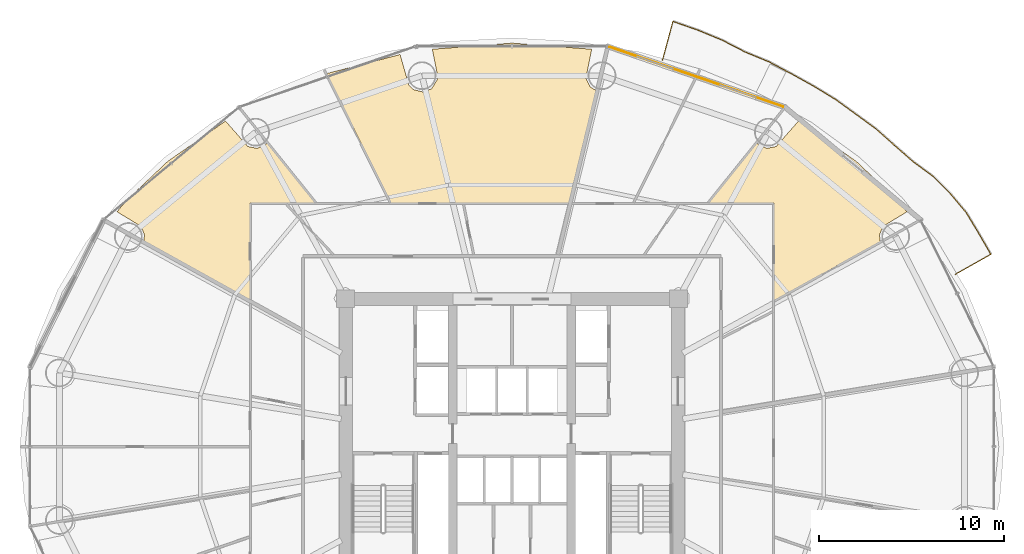
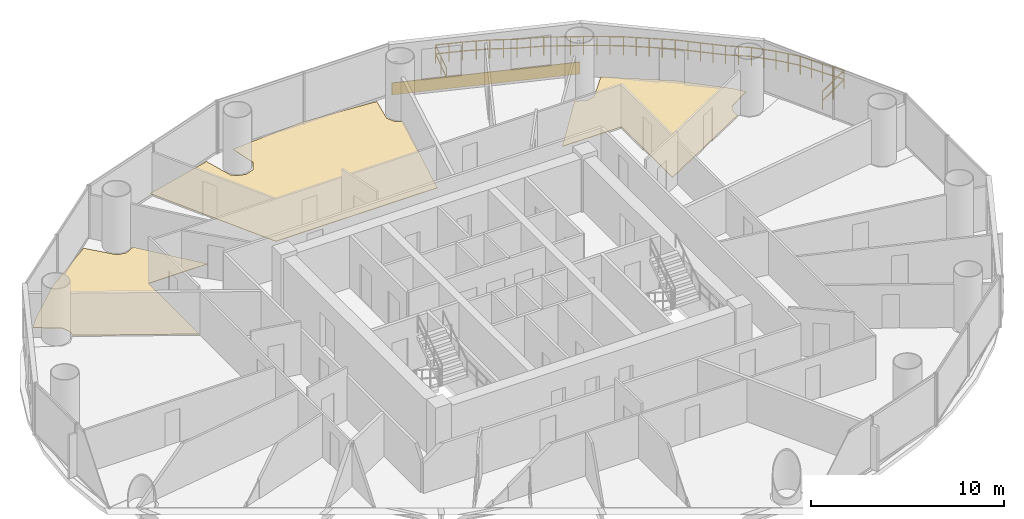
# One storey, part 28 of 28: 4 coverings, 1 railing.
"""IFC4 building model written with IfcOpenShell, lengths in metres."""

import ifcopenshell
import ifcopenshell.guid

model = None  # the IFC model being written
_history = None  # IfcOwnerHistory: only IFC2X3 demands one
_inside = {}  # id of a spatial element -> (the spatial element, [elements in it])
_under = {}  # id of a project, library or spatial element -> (it, [spatial elements below it])
_declared = {}  # id of a project -> (the project, [libraries it declares])
_typed = {}  # id of a type object -> (the type object, [elements of that type])
_made_of = {}  # id of a material, layer set ... -> (it, [elements and type objects made of it])


def new_model(schema):
    """Start an empty IFC model of exactly this schema.

    Asked for "IFC4X3", IfcOpenShell would pick the latest addendum, in which some entities
    have other attributes; the version numbers below select the first issue.
    IFC2X3 requires an IfcOwnerHistory on every rooted entity: one is made here for all.
    """
    global model, _history
    if schema == "IFC4X3":
        model = ifcopenshell.file(schema_version=(4, 3, 0, 0))
    else:
        model = ifcopenshell.file(schema=schema)
    _inside.clear()
    _under.clear()
    _declared.clear()
    _typed.clear()
    _made_of.clear()
    _history = None
    if model.schema == "IFC2X3":
        org = make("IfcOrganization", Name="unknown")
        user = make(
            "IfcPersonAndOrganization",
            ThePerson=make("IfcPerson", FamilyName="unknown"),
            TheOrganization=org,
        )
        app = make(
            "IfcApplication",
            ApplicationDeveloper=org,
            Version="unknown",
            ApplicationFullName="unknown",
            ApplicationIdentifier="unknown",
        )
        _history = make(
            "IfcOwnerHistory",
            OwningUser=user,
            OwningApplication=app,
            ChangeAction="ADDED",
            CreationDate=0,
        )
    return model


def make(cls, **values):
    """One entity of the class cls with the attributes given. An attribute that is None is left unset."""
    return model.create_entity(
        cls, **{name: value for name, value in values.items() if value is not None}
    )


def rooted(cls, **values):
    """An entity with a GlobalId (a new one), such as an element, a storey or a relation."""
    return make(cls, GlobalId=ifcopenshell.guid.new(), OwnerHistory=_history, **values)


def si_unit(unit_type, name, prefix=None):
    """IfcSIUnit, for example si_unit("LENGTHUNIT", "METRE", prefix="MILLI")."""
    return make("IfcSIUnit", UnitType=unit_type, Prefix=prefix, Name=name)


def assignment(units):
    """IfcUnitAssignment: the units of a project."""
    return None if units is None else make("IfcUnitAssignment", Units=units)


def point(xyz):
    """IfcCartesianPoint."""
    return None if xyz is None else make("IfcCartesianPoint", Coordinates=xyz)


def direction(xyz):
    """IfcDirection."""
    return None if xyz is None else make("IfcDirection", DirectionRatios=xyz)


def frame(location, z_axis=None, x_axis=None):
    """IfcAxis2Placement3D, a coordinate frame: its origin and axes. An axis left out is left unset."""
    return make(
        "IfcAxis2Placement3D",
        Location=point(location),
        Axis=direction(z_axis),
        RefDirection=direction(x_axis),
    )


def frame_2d(location, x_axis=None):
    """IfcAxis2Placement2D, a coordinate frame in the plane: its origin and x axis."""
    return make(
        "IfcAxis2Placement2D", Location=point(location), RefDirection=direction(x_axis)
    )


def origin():
    """The frame at (0, 0, 0) with its axes left unset."""
    return frame((0.0, 0.0, 0.0))


def origin_2d():
    """The frame at (0, 0) in the plane with its x axis left unset."""
    return frame_2d((0.0, 0.0))


def place(relative_to, where):
    """IfcLocalPlacement: puts the frame where relative to a parent placement (None: the world)."""
    return make(
        "IfcLocalPlacement", PlacementRelTo=relative_to, RelativePlacement=where
    )


def context(
    kind, dimensions, precision=None, world=None, true_north=None, identifier=None
):
    """IfcGeometricRepresentationContext, for example the 3D "Model" context."""
    return make(
        "IfcGeometricRepresentationContext",
        ContextIdentifier=identifier,
        ContextType=kind,
        CoordinateSpaceDimension=dimensions,
        Precision=precision,
        WorldCoordinateSystem=world,
        TrueNorth=true_north,
    )


def subcontext(parent, identifier, kind, view, scale=None):
    """IfcGeometricRepresentationSubContext, for example "Body" below "Model"."""
    return make(
        "IfcGeometricRepresentationSubContext",
        ContextIdentifier=identifier,
        ContextType=kind,
        ParentContext=parent,
        TargetScale=scale,
        TargetView=view,
    )


def project(units=None, contexts=None):
    """IfcProject with its units and contexts."""
    return rooted(
        "IfcProject",
        Name="project",
        RepresentationContexts=contexts,
        UnitsInContext=assignment(units),
    )


def spatial(cls, under=None, at=None, **own):
    """A site, building, storey or space (cls), placed at a placement, below another one or the project."""
    s = rooted(cls, ObjectPlacement=at, **own)
    if under is not None:
        _under.setdefault(under.id(), (under, []))[1].append(s)
    return s


def polyline(points):
    """IfcPolyline through the points."""
    return make("IfcPolyline", Points=[point(p) for p in points])


def profile(cls, at=None, kind="AREA", **sizes):
    """A parametric profile (cls). Its sizes go by their IFC names, for example OverallWidth=200.0."""
    return make(cls, ProfileType=kind, Position=at, **sizes)


def rectangle(**sizes):
    """IfcRectangleProfileDef."""
    return profile("IfcRectangleProfileDef", **sizes)


def outline(outer, holes=None, kind="AREA"):
    """IfcArbitraryClosedProfileDef: a profile drawn as a closed curve; with holes, ...WithVoids."""
    if holes is None:
        return make("IfcArbitraryClosedProfileDef", ProfileType=kind, OuterCurve=outer)
    return make(
        "IfcArbitraryProfileDefWithVoids",
        ProfileType=kind,
        OuterCurve=outer,
        InnerCurves=holes,
    )


def extrude(swept, where, along, depth):
    """IfcExtrudedAreaSolid: the profile swept, set in the frame where, extruded along a direction by depth."""
    return make(
        "IfcExtrudedAreaSolid",
        SweptArea=swept,
        Position=where,
        ExtrudedDirection=direction(along),
        Depth=depth,
    )


def shape(context_of_items, identifier, shape_type, items):
    """IfcShapeRepresentation: the items that make up one representation, for example the "Body"."""
    return make(
        "IfcShapeRepresentation",
        ContextOfItems=context_of_items,
        RepresentationIdentifier=identifier,
        RepresentationType=shape_type,
        Items=items,
    )


def source(mapping_origin, context_of_items, identifier, shape_type, items):
    """IfcRepresentationMap: a shape defined once, which mapped items show again and again."""
    return make(
        "IfcRepresentationMap",
        MappingOrigin=mapping_origin,
        MappedRepresentation=shape(context_of_items, identifier, shape_type, items),
    )


def transform(
    local_origin,
    x_axis=None,
    y_axis=None,
    z_axis=None,
    scale=None,
    scale2=None,
    scale3=None,
    uniform=True,
):
    """IfcCartesianTransformationOperator3D, or its non-uniform kind. x_axis, y_axis, z_axis: its Axis1, 2, 3."""
    if uniform:
        return make(
            "IfcCartesianTransformationOperator3D",
            Axis1=direction(x_axis),
            Axis2=direction(y_axis),
            LocalOrigin=point(local_origin),
            Scale=scale,
            Axis3=direction(z_axis),
        )
    return make(
        "IfcCartesianTransformationOperator3DnonUniform",
        Axis1=direction(x_axis),
        Axis2=direction(y_axis),
        LocalOrigin=point(local_origin),
        Scale=scale,
        Axis3=direction(z_axis),
        Scale2=scale2,
        Scale3=scale3,
    )


def mapped(mapping_source, mapping_target):
    """IfcMappedItem: shows the shape of a source again, moved by a transform."""
    return make(
        "IfcMappedItem", MappingSource=mapping_source, MappingTarget=mapping_target
    )


def material(Name=None, Category=None):
    """IfcMaterial."""
    return make("IfcMaterial", Name=Name, Category=Category)


def layer(
    of_material, thickness, ventilated=None, Name=None, Category=None, Priority=None
):
    """IfcMaterialLayer: one layer of a wall or slab, of a material (None: an air gap)."""
    return make(
        "IfcMaterialLayer",
        Material=of_material,
        LayerThickness=thickness,
        IsVentilated=ventilated,
        Name=Name,
        Category=Category,
        Priority=Priority,
    )


def layer_set(layers, Name=None):
    """IfcMaterialLayerSet."""
    return make("IfcMaterialLayerSet", MaterialLayers=layers, LayerSetName=Name)


def made_of(thing, what):
    """Note that an element or type object is made of a material, layer set ...; save() writes the relation."""
    if what is not None:
        _made_of.setdefault(what.id(), (what, []))[1].append(thing)
    return thing


def type_object(cls, material=None, **own):
    """A type object (cls), such as IfcWallType, which elements share."""
    return made_of(rooted(cls, **own), material)


def element(
    cls,
    number,
    at=None,
    inside=None,
    cuts=None,
    type_object=None,
    material=None,
    context=None,
    identifier="Body",
    shape_type=None,
    held_by="IfcProductDefinitionShape",
    body=None,
    shapes=None,
    **own,
):
    """One element of the class cls, such as IfcWall. Its Tag is "e" and its number.

    at: its placement. inside: the storey or other place that contains it. cuts: it is an
    opening in that element (IfcRelVoidsElement). A single representation is given by context,
    identifier, shape_type and body (its items); several are given by shapes. held_by: the class
    of the entity that holds the representations. save() writes the other relations.
    """
    e = rooted(cls, Tag="e%d" % number, ObjectPlacement=at, **own)
    if body is not None:
        shapes = [shape(context, identifier, shape_type, body)]
    if shapes is not None:
        e.Representation = make(held_by, Representations=shapes)
    if inside is not None:
        _inside.setdefault(inside.id(), (inside, []))[1].append(e)
    if cuts is not None:
        rooted(
            "IfcRelVoidsElement", RelatingBuildingElement=cuts, RelatedOpeningElement=e
        )
    if type_object is not None:
        _typed.setdefault(type_object.id(), (type_object, []))[1].append(e)
    return made_of(e, material)


def aggregate(whole, parts):
    """IfcRelAggregates: a whole, such as a stair, and the parts it consists of."""
    return rooted("IfcRelAggregates", RelatingObject=whole, RelatedObjects=parts)


def save(model, path):
    """Write the relations noted so far, then the file.

    IfcRelAggregates (storeys below a building ...), IfcRelContainedInSpatialStructure (elements
    in a storey), IfcRelDefinesByType, IfcRelAssociatesMaterial and IfcRelDeclares: one each for
    every whole, place, type object, material and project.
    """
    for whole, parts in _under.values():
        aggregate(whole, parts)
    for where, things in _inside.values():
        rooted(
            "IfcRelContainedInSpatialStructure",
            RelatedElements=things,
            RelatingStructure=where,
        )
    for kind, things in _typed.values():
        rooted("IfcRelDefinesByType", RelatedObjects=things, RelatingType=kind)
    for what, things in _made_of.values():
        rooted("IfcRelAssociatesMaterial", RelatedObjects=things, RelatingMaterial=what)
    for by, libraries in _declared.values():
        rooted("IfcRelDeclares", RelatingContext=by, RelatedDefinitions=libraries)
    model.write(path)


model = new_model("IFC4")

# Units and contexts
model_context = context("Model", 3, precision=1e-05, world=origin(), true_north=direction((-0.2419218956, 0.970295726276)))
body_context = subcontext(model_context, "Body", "Model", "MODEL_VIEW")
ifc_project = project(units=[si_unit("LENGTHUNIT", "METRE"), si_unit("AREAUNIT", "SQUARE_METRE"), si_unit("VOLUMEUNIT", "CUBIC_METRE"), si_unit("PLANEANGLEUNIT", "RADIAN"), si_unit("MASSUNIT", "GRAM", prefix="KILO")], contexts=[model_context])

# Site, building, storey
site_placement = place(None, origin())
site = spatial("IfcSite", under=ifc_project, at=site_placement, CompositionType="ELEMENT")
building_placement = place(site_placement, origin())
building = spatial("IfcBuilding", under=site, at=building_placement, Name="Cobrevalo Terracotta Tower", CompositionType="ELEMENT")
storey_placement = place(building_placement, frame((0.0, 0.0, 101.39990234375)))
storey = spatial("IfcBuildingStorey", under=building, at=storey_placement, Name="L26", CompositionType="ELEMENT", Elevation=101.39990234375)

# Railing
ifc_material_1 = material(Name="Laminated structural glass and stainless steel", Category="steel")
railing_type = type_object("IfcRailingType", Name="Balcony lobe structural glass & terracotta-cap balustrade 1180 mm", PredefinedType="BALUSTRADE", material=ifc_material_1)
railing_placement = place(storey_placement, frame((61.962646484375, 36.115234375, 0.0)))
element("IfcRailing", 1, at=railing_placement, inside=storey, type_object=railing_type, Name="L26 spiralling balcony lobe balustrade 1", PredefinedType="BALUSTRADE", context=body_context, shape_type="SweptSolid", body=[
    extrude(rectangle(XDim=0.048095703125, YDim=0.048095703125, at=origin_2d()), frame((0.0, 0.0, 1.15576171875), z_axis=(0.871457612486, 0.490470824454, 0.0), x_axis=(-0.490470824454, 0.871457612486, 0.0)), (0.0, 0.0, 1.0), 2.212158203125),
    extrude(rectangle(XDim=0.048095703125, YDim=0.048095703125, at=origin_2d()), frame((0.0, 0.0, 0.58984375), z_axis=(0.871457612486, 0.490470824454, 0.0), x_axis=(-0.490470824454, 0.871457612486, 0.0)), (0.0, 0.0, 1.0), 2.212158203125),
    extrude(rectangle(XDim=0.048095703125, YDim=0.048095703125, at=origin_2d()), frame((1.927734375, 1.0849609375, 1.15576171875), z_axis=(-0.501036270542, 0.865426285481, 0.0), x_axis=(-0.865426285481, -0.501036270542, 0.0)), (0.0, 0.0, 1.0), 1.302490234375),
    extrude(rectangle(XDim=0.048095703125, YDim=0.048095703125, at=origin_2d()), frame((1.927734375, 1.0849609375, 0.58984375), z_axis=(-0.501036270542, 0.865426285481, 0.0), x_axis=(-0.865426285481, -0.501036270542, 0.0)), (0.0, 0.0, 1.0), 1.302490234375),
    extrude(rectangle(XDim=0.048095703125, YDim=0.048095703125, at=origin_2d()), frame((1.275146484375, 2.212158203125, 1.15576171875), z_axis=(-0.515180598973, 0.857081647477, 0.0), x_axis=(-0.857081647477, -0.515180598973, 0.0)), (0.0, 0.0, 1.0), 1.310302734375),
    extrude(rectangle(XDim=0.048095703125, YDim=0.048095703125, at=origin_2d()), frame((1.275146484375, 2.212158203125, 0.58984375), z_axis=(-0.515180598973, 0.857081647477, 0.0), x_axis=(-0.857081647477, -0.515180598973, 0.0)), (0.0, 0.0, 1.0), 1.310302734375),
    extrude(rectangle(XDim=0.048095703125, YDim=0.048095703125, at=origin_2d()), frame((0.60009765625, 3.335205078125, 1.15576171875), z_axis=(-0.643377335793, 0.76554921709, 0.0), x_axis=(-0.76554921709, -0.643377335793, 0.0)), (0.0, 0.0, 1.0), 1.328857421875),
    extrude(rectangle(XDim=0.048095703125, YDim=0.048095703125, at=origin_2d()), frame((0.60009765625, 3.335205078125, 0.58984375), z_axis=(-0.643377335793, 0.76554921709, 0.0), x_axis=(-0.76554921709, -0.643377335793, 0.0)), (0.0, 0.0, 1.0), 1.328857421875),
    extrude(rectangle(XDim=0.048095703125, YDim=0.048095703125, at=origin_2d()), frame((-0.2548828125, 4.3525390625, 1.15576171875), z_axis=(-0.704243474864, 0.709958539713, 0.0), x_axis=(-0.709958539713, -0.704243474864, 0.0)), (0.0, 0.0, 1.0), 1.32421875),
    extrude(rectangle(XDim=0.048095703125, YDim=0.048095703125, at=origin_2d()), frame((-0.2548828125, 4.3525390625, 0.58984375), z_axis=(-0.704243474864, 0.709958539713, 0.0), x_axis=(-0.709958539713, -0.704243474864, 0.0)), (0.0, 0.0, 1.0), 1.32421875),
    extrude(rectangle(XDim=0.048095703125, YDim=0.048095703125, at=origin_2d()), frame((-1.1875, 5.292724609375, 1.15576171875), z_axis=(-0.805087624611, 0.59315589578, 0.0), x_axis=(-0.59315589578, -0.805087624611, 0.0)), (0.0, 0.0, 1.0), 1.351318359375),
    extrude(rectangle(XDim=0.048095703125, YDim=0.048095703125, at=origin_2d()), frame((-1.1875, 5.292724609375, 0.58984375), z_axis=(-0.805087624611, 0.59315589578, 0.0), x_axis=(-0.59315589578, -0.805087624611, 0.0)), (0.0, 0.0, 1.0), 1.351318359375),
    extrude(rectangle(XDim=0.048095703125, YDim=0.048095703125, at=origin_2d()), frame((-2.275390625, 6.09423828125, 1.15576171875), z_axis=(-0.751883474493, 0.659296019087, 0.0), x_axis=(-0.659296019087, -0.751883474493, 0.0)), (0.0, 0.0, 1.0), 1.33154296875),
    extrude(rectangle(XDim=0.048095703125, YDim=0.048095703125, at=origin_2d()), frame((-2.275390625, 6.09423828125, 0.58984375), z_axis=(-0.751883474493, 0.659296019087, 0.0), x_axis=(-0.659296019087, -0.751883474493, 0.0)), (0.0, 0.0, 1.0), 1.33154296875),
    extrude(rectangle(XDim=0.048095703125, YDim=0.048095703125, at=origin_2d()), frame((-3.276611328125, 6.97216796875, 1.15576171875), z_axis=(-0.746701210833, 0.665159606215, 0.0), x_axis=(-0.665159606215, -0.746701210833, 0.0)), (0.0, 0.0, 1.0), 1.332275390625),
    extrude(rectangle(XDim=0.048095703125, YDim=0.048095703125, at=origin_2d()), frame((-3.276611328125, 6.97216796875, 0.58984375), z_axis=(-0.746701210833, 0.665159606215, 0.0), x_axis=(-0.665159606215, -0.746701210833, 0.0)), (0.0, 0.0, 1.0), 1.332275390625),
    extrude(rectangle(XDim=0.048095703125, YDim=0.048095703125, at=origin_2d()), frame((-4.271484375, 7.8583984375, 1.15576171875), z_axis=(-0.807457104256, 0.589926287587, 0.0), x_axis=(-0.589926287587, -0.807457104256, 0.0)), (0.0, 0.0, 1.0), 1.355712890625),
    extrude(rectangle(XDim=0.048095703125, YDim=0.048095703125, at=origin_2d()), frame((-4.271484375, 7.8583984375, 0.58984375), z_axis=(-0.807457104256, 0.589926287587, 0.0), x_axis=(-0.589926287587, -0.807457104256, 0.0)), (0.0, 0.0, 1.0), 1.355712890625),
    extrude(rectangle(XDim=0.048095703125, YDim=0.048095703125, at=origin_2d()), frame((-5.3662109375, 8.658203125, 1.15576171875), z_axis=(-0.809336124214, 0.58734575681, 0.0), x_axis=(-0.58734575681, -0.809336124214, 0.0)), (0.0, 0.0, 1.0), 1.353759765625),
    extrude(rectangle(XDim=0.048095703125, YDim=0.048095703125, at=origin_2d()), frame((-5.3662109375, 8.658203125, 0.58984375), z_axis=(-0.809336124214, 0.58734575681, 0.0), x_axis=(-0.58734575681, -0.809336124214, 0.0)), (0.0, 0.0, 1.0), 1.353759765625),
    extrude(rectangle(XDim=0.048095703125, YDim=0.048095703125, at=origin_2d()), frame((-6.4619140625, 9.453369140625, 1.15576171875), z_axis=(-0.8538367727, 0.520540839497, 0.0), x_axis=(-0.520540839497, -0.8538367727, 0.0)), (0.0, 0.0, 1.0), 1.369140625),
    extrude(rectangle(XDim=0.048095703125, YDim=0.048095703125, at=origin_2d()), frame((-6.4619140625, 9.453369140625, 0.58984375), z_axis=(-0.8538367727, 0.520540839497, 0.0), x_axis=(-0.520540839497, -0.8538367727, 0.0)), (0.0, 0.0, 1.0), 1.369140625),
    extrude(rectangle(XDim=0.048095703125, YDim=0.048095703125, at=origin_2d()), frame((-7.630859375, 10.166015625, 1.15576171875), z_axis=(-0.87437430677, 0.485252070228, 0.0), x_axis=(-0.485252070228, -0.87437430677, 0.0)), (0.0, 0.0, 1.0), 1.379150390625),
    extrude(rectangle(XDim=0.048095703125, YDim=0.048095703125, at=origin_2d()), frame((-7.630859375, 10.166015625, 0.58984375), z_axis=(-0.87437430677, 0.485252070228, 0.0), x_axis=(-0.485252070228, -0.87437430677, 0.0)), (0.0, 0.0, 1.0), 1.379150390625),
    extrude(rectangle(XDim=0.048095703125, YDim=0.048095703125, at=origin_2d()), frame((-8.836669921875, 10.835205078125, 1.15576171875), z_axis=(-0.881769234761, 0.471681053922, 0.0), x_axis=(-0.471681053922, -0.881769234761, 0.0)), (0.0, 0.0, 1.0), 1.37939453125),
    extrude(rectangle(XDim=0.048095703125, YDim=0.048095703125, at=origin_2d()), frame((-8.836669921875, 10.835205078125, 0.58984375), z_axis=(-0.881769234761, 0.471681053922, 0.0), x_axis=(-0.471681053922, -0.881769234761, 0.0)), (0.0, 0.0, 1.0), 1.37939453125),
    extrude(rectangle(XDim=0.048095703125, YDim=0.048095703125, at=origin_2d()), frame((-10.052978515625, 11.48583984375, 1.15576171875), z_axis=(-0.924840393336, 0.38035542175, 0.0), x_axis=(-0.38035542175, -0.924840393336, 0.0)), (0.0, 0.0, 1.0), 1.401123046875),
    extrude(rectangle(XDim=0.048095703125, YDim=0.048095703125, at=origin_2d()), frame((-10.052978515625, 11.48583984375, 0.58984375), z_axis=(-0.924840393336, 0.38035542175, 0.0), x_axis=(-0.38035542175, -0.924840393336, 0.0)), (0.0, 0.0, 1.0), 1.401123046875),
    extrude(rectangle(XDim=0.048095703125, YDim=0.048095703125, at=origin_2d()), frame((-11.348876953125, 12.018798828125, 1.15576171875), z_axis=(-0.88867528904, 0.458537054828, 0.0), x_axis=(-0.458537054828, -0.88867528904, 0.0)), (0.0, 0.0, 1.0), 1.409912109375),
    extrude(rectangle(XDim=0.048095703125, YDim=0.048095703125, at=origin_2d()), frame((-11.348876953125, 12.018798828125, 0.58984375), z_axis=(-0.88867528904, 0.458537054828, 0.0), x_axis=(-0.458537054828, -0.88867528904, 0.0)), (0.0, 0.0, 1.0), 1.409912109375),
    extrude(rectangle(XDim=0.048095703125, YDim=0.048095703125, at=origin_2d()), frame((-12.601806640625, 12.665283203125, 1.15576171875), z_axis=(-0.924653138874, 0.380810415786, 0.0), x_axis=(-0.380810415786, -0.924653138874, 0.0)), (0.0, 0.0, 1.0), 1.418212890625),
    extrude(rectangle(XDim=0.048095703125, YDim=0.048095703125, at=origin_2d()), frame((-12.601806640625, 12.665283203125, 0.58984375), z_axis=(-0.924653138874, 0.380810415786, 0.0), x_axis=(-0.380810415786, -0.924653138874, 0.0)), (0.0, 0.0, 1.0), 1.418212890625),
    extrude(rectangle(XDim=0.048095703125, YDim=0.048095703125, at=origin_2d()), frame((-13.9130859375, 13.205322265625, 1.15576171875), z_axis=(-0.943834419114, 0.330418808932, 0.0), x_axis=(-0.330418808932, -0.943834419114, 0.0)), (0.0, 0.0, 1.0), 1.43115234375),
    extrude(rectangle(XDim=0.048095703125, YDim=0.048095703125, at=origin_2d()), frame((-13.9130859375, 13.205322265625, 0.58984375), z_axis=(-0.943834419114, 0.330418808932, 0.0), x_axis=(-0.330418808932, -0.943834419114, 0.0)), (0.0, 0.0, 1.0), 1.43115234375),
    extrude(rectangle(XDim=0.048095703125, YDim=0.048095703125, at=origin_2d()), frame((-15.263916015625, 13.67822265625, 1.15576171875), z_axis=(-0.259807811742, -0.965660344509, 0.0), x_axis=(0.965660344509, -0.259807811742, 0.0)), (0.0, 0.0, 1.0), 2.1669921875),
    extrude(rectangle(XDim=0.048095703125, YDim=0.048095703125, at=origin_2d()), frame((-15.263916015625, 13.67822265625, 0.58984375), z_axis=(-0.259807811742, -0.965660344509, 0.0), x_axis=(0.965660344509, -0.259807811742, 0.0)), (0.0, 0.0, 1.0), 2.1669921875),
    extrude(rectangle(XDim=0.0419921875, YDim=0.0419921875, at=origin_2d()), origin(), (0.0, 0.0, 1.0), 1.1318359375),
    extrude(rectangle(XDim=0.0419921875, YDim=0.0419921875, at=origin_2d()), frame((0.9638671875, 0.54248046875, 0.0)), (0.0, 0.0, 1.0), 1.1318359375),
    extrude(rectangle(XDim=0.0419921875, YDim=0.0419921875, at=origin_2d()), frame((1.927734375, 1.0849609375, 0.0)), (0.0, 0.0, 1.0), 1.1318359375),
    extrude(rectangle(XDim=0.0419921875, YDim=0.0419921875, at=origin_2d()), frame((1.6015625, 1.6484375, 0.0)), (0.0, 0.0, 1.0), 1.1318359375),
    extrude(rectangle(XDim=0.0419921875, YDim=0.0419921875, at=origin_2d()), frame((1.275146484375, 2.212158203125, 0.0)), (0.0, 0.0, 1.0), 1.1318359375),
    extrude(rectangle(XDim=0.0419921875, YDim=0.0419921875, at=origin_2d()), frame((0.9375, 2.773681640625, 0.0)), (0.0, 0.0, 1.0), 1.1318359375),
    extrude(rectangle(XDim=0.0419921875, YDim=0.0419921875, at=origin_2d()), frame((0.60009765625, 3.335205078125, 0.0)), (0.0, 0.0, 1.0), 1.1318359375),
    extrude(rectangle(XDim=0.0419921875, YDim=0.0419921875, at=origin_2d()), frame((0.172607421875, 3.84375, 0.0)), (0.0, 0.0, 1.0), 1.1318359375),
    extrude(rectangle(XDim=0.0419921875, YDim=0.0419921875, at=origin_2d()), frame((-0.2548828125, 4.3525390625, 0.0)), (0.0, 0.0, 1.0), 1.1318359375),
    extrude(rectangle(XDim=0.0419921875, YDim=0.0419921875, at=origin_2d()), frame((-0.72119140625, 4.82275390625, 0.0)), (0.0, 0.0, 1.0), 1.1318359375),
    extrude(rectangle(XDim=0.0419921875, YDim=0.0419921875, at=origin_2d()), frame((-1.1875, 5.292724609375, 0.0)), (0.0, 0.0, 1.0), 1.1318359375),
    extrude(rectangle(XDim=0.0419921875, YDim=0.0419921875, at=origin_2d()), frame((-1.7314453125, 5.693359375, 0.0)), (0.0, 0.0, 1.0), 1.1318359375),
    extrude(rectangle(XDim=0.0419921875, YDim=0.0419921875, at=origin_2d()), frame((-2.275390625, 6.09423828125, 0.0)), (0.0, 0.0, 1.0), 1.1318359375),
    extrude(rectangle(XDim=0.0419921875, YDim=0.0419921875, at=origin_2d()), frame((-2.77587890625, 6.533203125, 0.0)), (0.0, 0.0, 1.0), 1.1318359375),
    extrude(rectangle(XDim=0.0419921875, YDim=0.0419921875, at=origin_2d()), frame((-3.276611328125, 6.97216796875, 0.0)), (0.0, 0.0, 1.0), 1.1318359375),
    extrude(rectangle(XDim=0.0419921875, YDim=0.0419921875, at=origin_2d()), frame((-3.77392578125, 7.415283203125, 0.0)), (0.0, 0.0, 1.0), 1.1318359375),
    extrude(rectangle(XDim=0.0419921875, YDim=0.0419921875, at=origin_2d()), frame((-4.271484375, 7.8583984375, 0.0)), (0.0, 0.0, 1.0), 1.1318359375),
    extrude(rectangle(XDim=0.0419921875, YDim=0.0419921875, at=origin_2d()), frame((-4.81884765625, 8.25830078125, 0.0)), (0.0, 0.0, 1.0), 1.1318359375),
    extrude(rectangle(XDim=0.0419921875, YDim=0.0419921875, at=origin_2d()), frame((-5.3662109375, 8.658203125, 0.0)), (0.0, 0.0, 1.0), 1.1318359375),
    extrude(rectangle(XDim=0.0419921875, YDim=0.0419921875, at=origin_2d()), frame((-5.9140625, 9.0556640625, 0.0)), (0.0, 0.0, 1.0), 1.1318359375),
    extrude(rectangle(XDim=0.0419921875, YDim=0.0419921875, at=origin_2d()), frame((-6.4619140625, 9.453369140625, 0.0)), (0.0, 0.0, 1.0), 1.1318359375),
    extrude(rectangle(XDim=0.0419921875, YDim=0.0419921875, at=origin_2d()), frame((-7.04638671875, 9.8095703125, 0.0)), (0.0, 0.0, 1.0), 1.1318359375),
    extrude(rectangle(XDim=0.0419921875, YDim=0.0419921875, at=origin_2d()), frame((-7.630859375, 10.166015625, 0.0)), (0.0, 0.0, 1.0), 1.1318359375),
    extrude(rectangle(XDim=0.0419921875, YDim=0.0419921875, at=origin_2d()), frame((-8.23388671875, 10.50048828125, 0.0)), (0.0, 0.0, 1.0), 1.1318359375),
    extrude(rectangle(XDim=0.0419921875, YDim=0.0419921875, at=origin_2d()), frame((-8.836669921875, 10.835205078125, 0.0)), (0.0, 0.0, 1.0), 1.1318359375),
    extrude(rectangle(XDim=0.0419921875, YDim=0.0419921875, at=origin_2d()), frame((-9.44482421875, 11.16064453125, 0.0)), (0.0, 0.0, 1.0), 1.1318359375),
    extrude(rectangle(XDim=0.0419921875, YDim=0.0419921875, at=origin_2d()), frame((-10.052978515625, 11.48583984375, 0.0)), (0.0, 0.0, 1.0), 1.1318359375),
    extrude(rectangle(XDim=0.0419921875, YDim=0.0419921875, at=origin_2d()), frame((-10.700927734375, 11.75244140625, 0.0)), (0.0, 0.0, 1.0), 1.1318359375),
    extrude(rectangle(XDim=0.0419921875, YDim=0.0419921875, at=origin_2d()), frame((-11.348876953125, 12.018798828125, 0.0)), (0.0, 0.0, 1.0), 1.1318359375),
    extrude(rectangle(XDim=0.0419921875, YDim=0.0419921875, at=origin_2d()), frame((-11.975341796875, 12.342041015625, 0.0)), (0.0, 0.0, 1.0), 1.1318359375),
    extrude(rectangle(XDim=0.0419921875, YDim=0.0419921875, at=origin_2d()), frame((-12.601806640625, 12.665283203125, 0.0)), (0.0, 0.0, 1.0), 1.1318359375),
    extrude(rectangle(XDim=0.0419921875, YDim=0.0419921875, at=origin_2d()), frame((-13.25732421875, 12.935302734375, 0.0)), (0.0, 0.0, 1.0), 1.1318359375),
    extrude(rectangle(XDim=0.0419921875, YDim=0.0419921875, at=origin_2d()), frame((-13.9130859375, 13.205322265625, 0.0)), (0.0, 0.0, 1.0), 1.1318359375),
    extrude(rectangle(XDim=0.0419921875, YDim=0.0419921875, at=origin_2d()), frame((-14.58837890625, 13.44189453125, 0.0)), (0.0, 0.0, 1.0), 1.1318359375),
    extrude(rectangle(XDim=0.0419921875, YDim=0.0419921875, at=origin_2d()), frame((-15.263916015625, 13.67822265625, 0.0)), (0.0, 0.0, 1.0), 1.1318359375),
    extrude(rectangle(XDim=0.0419921875, YDim=0.0419921875, at=origin_2d()), frame((-15.54541015625, 12.6318359375, 0.0)), (0.0, 0.0, 1.0), 1.1318359375),
    extrude(rectangle(XDim=0.0419921875, YDim=0.0419921875, at=origin_2d()), frame((-15.826904296875, 11.585693359375, 0.0)), (0.0, 0.0, 1.0), 1.1318359375),
])

# Coverings
ifc_material_2 = material(Name="Engineered Brazilian hardwood flooring", Category="wood")
ifc_layer_1 = layer(ifc_material_2, 0.028076171875)
ifc_layer_set_1 = layer_set([ifc_layer_1], Name="Engineered Brazilian hardwood flooring")
covering_type_1 = type_object("IfcCoveringType", Name="Engineered Hardwood Suite Flooring 28", PredefinedType="FLOORING", material=ifc_layer_set_1)
covering_1_placement = place(storey_placement, origin())
element("IfcCovering", 2, at=covering_1_placement, inside=storey, type_object=covering_type_1, Name="Flat L26A Master Bedroom floor finish", PredefinedType="FLOORING", context=body_context, shape_type="SweptSolid", body=[
    extrude(outline(polyline([(56.6123046875, 42.227783203125), (58.882080078125, 40.081787109375), (59.35302734375, 39.49755859375), (58.05908203125, 38.712890625), (57.868408203125, 38.23876953125), (57.916259765625, 37.879150390625), (52.1650390625, 34.6865234375), (52.1650390625, 39.965087890625), (48.61328125, 39.965087890625), (51.219970703125, 43.2060546875), (51.778076171875, 42.927490234375), (52.27880859375, 43.02880859375), (53.488525390625, 44.40673828125), (56.6123046875, 42.227783203125)])), origin(), (0.0, 0.0, 1.0), 0.030029296875),
])
covering_2_placement = place(storey_placement, origin())
element("IfcCovering", 3, at=covering_2_placement, inside=storey, type_object=covering_type_1, Name="Flat L26B Penthouse Living and Dining Room floor finish", PredefinedType="FLOORING", context=body_context, shape_type="SweptSolid", body=[
    extrude(outline(polyline([(31.94921875, 48.001953125), (32.421875, 46.337890625), (32.674560546875, 46.10546875), (33.169189453125, 45.977783203125), (33.651611328125, 46.146240234375), (34.002197265625, 46.721435546875), (33.6904296875, 48.2890625), (38.0, 48.619873046875), (42.3095703125, 48.2890625), (41.997802734375, 46.721435546875), (42.2197265625, 46.26123046875), (42.5830078125, 46.028564453125), (41.13134765625, 39.965087890625), (31.458740234375, 39.965087890625), (27.966552734375, 46.9697265625), (31.94921875, 48.001953125)])), origin(), (0.0, 0.0, 1.0), 0.030029296875),
])
covering_3_placement = place(storey_placement, origin())
element("IfcCovering", 4, at=covering_3_placement, inside=storey, type_object=covering_type_1, Name="Flat L26B Principal Guest Bedroom floor finish", PredefinedType="FLOORING", context=body_context, shape_type="SweptSolid", body=[
    extrude(outline(polyline([(22.511474609375, 44.40673828125), (23.72119140625, 43.02880859375), (24.221923828125, 42.927490234375), (24.780029296875, 43.2060546875), (27.38671875, 39.965087890625), (23.8349609375, 39.965087890625), (23.8349609375, 34.6865234375), (18.083740234375, 37.879150390625), (18.131591796875, 38.23876953125), (17.94091796875, 38.712890625), (16.64697265625, 39.49755859375), (17.117919921875, 40.081787109375), (19.3876953125, 42.227783203125), (22.511474609375, 44.40673828125)])), origin(), (0.0, 0.0, 1.0), 0.030029296875),
])
ifc_material_3 = material(Name="Glazed terracotta facade cladding tile", Category="masonry")
ifc_layer_2 = layer(ifc_material_3, 0.044921875)
ifc_layer_set_2 = layer_set([ifc_layer_2], Name="Glazed terracotta facade cladding tile")
covering_type_2 = type_object("IfcCoveringType", Name="Architectural terracotta rainscreen spandrel cladding 45 mm", PredefinedType="CLADDING", material=ifc_layer_set_2)
shared_shape = source(origin(), body_context, "Body", "SweptSolid", [
    extrude(rectangle(XDim=9.928955078125, YDim=0.044921875, at=origin_2d()), origin(), (0.0, 0.0, 1.0), 0.760009765625),
])
covering_4_placement = place(storey_placement, frame((47.972412109375, 46.79833984375, 0.0400390625), z_axis=(0.0, 0.0, 1.0), x_axis=(-0.945596395206, 0.325342062104, 0.0)))
element("IfcCovering", 5, at=covering_4_placement, inside=storey, type_object=covering_type_2, Name="L26 terracotta spandrel cladding S03", PredefinedType="CLADDING", context=body_context, shape_type="MappedRepresentation", body=[
    mapped(shared_shape, transform((0.0, 0.0, 0.0), scale=1.0)),
])

save(model, "model.ifc")
